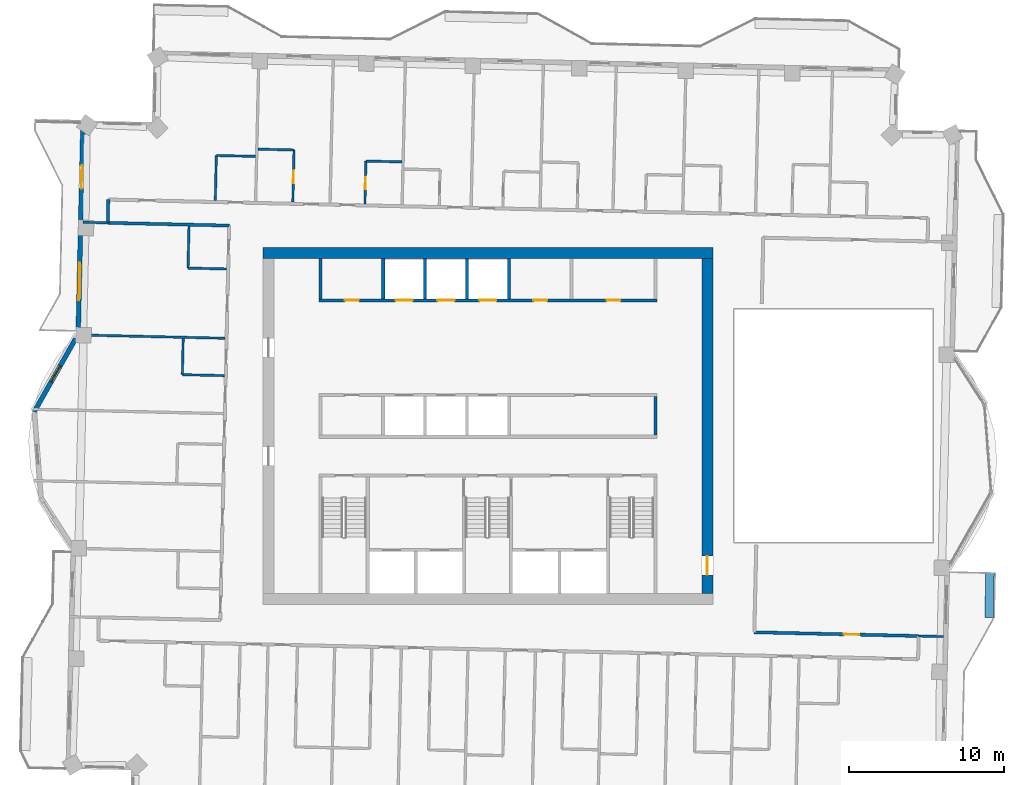
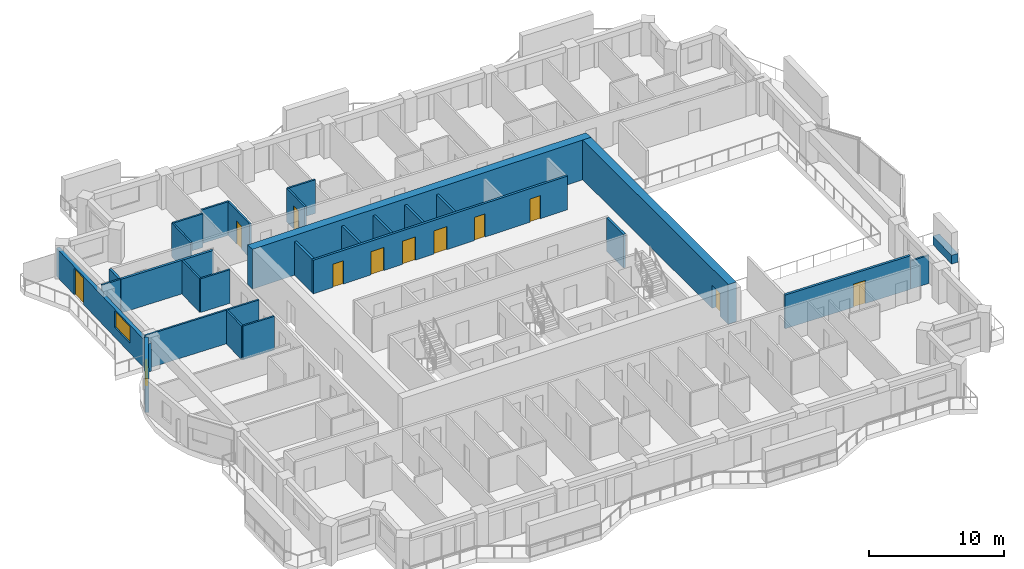
# One storey, part 10 of 17: 28 walls, 11 doors, 2 windows, 13 openings.
"""IFC4 building model written with IfcOpenShell, lengths in metres."""

from ifc_helpers import new_model, si_unit, direction, frame, frame_2d, origin, place, context, subcontext, project, spatial, rectangle, extrude, material, layer, layer_set, type_object, element, fill, save


model = new_model("IFC4")

# Units and contexts
model_context = context("Model", 3, precision=1e-05, world=origin(), true_north=direction((0.0, 1.0)))
body_context = subcontext(model_context, "Body", "Model", "MODEL_VIEW")
ifc_project = project(units=[si_unit("LENGTHUNIT", "METRE"), si_unit("AREAUNIT", "SQUARE_METRE"), si_unit("VOLUMEUNIT", "CUBIC_METRE"), si_unit("PLANEANGLEUNIT", "RADIAN"), si_unit("MASSUNIT", "GRAM", prefix="KILO")], contexts=[model_context])

# Site, building, storey
site_placement = place(None, origin())
site = spatial("IfcSite", under=ifc_project, at=site_placement, CompositionType="ELEMENT")
building_placement = place(site_placement, origin())
building = spatial("IfcBuilding", under=site, at=building_placement, Name="Mangrove Gate Tower", CompositionType="ELEMENT")
storey_placement = place(building_placement, frame((0.0, 0.0, 260.89990234375)))
storey = spatial("IfcBuildingStorey", under=building, at=storey_placement, Name="L66", CompositionType="ELEMENT", Elevation=260.89990234375)

# Walls
ifc_material_1 = material(Name="Concrete C32/40", Category="concrete")
ifc_layer_1 = layer(ifc_material_1, 0.199951171875)
ifc_layer_set_1 = layer_set([ifc_layer_1], Name="Core room wall 200 C32/40")
wall_type_1 = type_object("IfcWallType", Name="Core room wall 200 C32/40", PredefinedType="STANDARD", material=ifc_layer_set_1)
wall_1_placement = place(storey_placement, frame((10.800048828125, -0.60009765625, 0.0), z_axis=(0.0, 0.0, 1.0), x_axis=(0.0, 1.0, 0.0)))
element("IfcWall", 1, at=wall_1_placement, inside=storey, type_object=wall_type_1, Name="WALL-L66-CORE-24", PredefinedType="STANDARD", context=body_context, shape_type="SweptSolid", body=[
    extrude(rectangle(XDim=2.5, YDim=0.199951171875, at=frame_2d((1.25, 0.0))), origin(), (0.0, 0.0, 1.0), 3.050048828125),
])
wall_2_placement = place(storey_placement, frame((-10.800048828125, 8.199951171875, 0.0), z_axis=(0.0, 0.0, 1.0), x_axis=(0.0, 1.0, 0.0)))
element("IfcWall", 2, at=wall_2_placement, inside=storey, type_object=wall_type_1, Name="WALL-L66-CORE-25", PredefinedType="STANDARD", context=body_context, shape_type="SweptSolid", body=[
    extrude(rectangle(XDim=2.60009765625, YDim=0.199951171875, at=frame_2d((1.300048828125, 0.0))), origin(), (0.0, 0.0, 1.0), 3.050048828125),
])

# Wall, openings, doors
ifc_material_2 = material(Name="Concrete C60/75", Category="concrete")
ifc_layer_2 = layer(ifc_material_2, 0.199951171875)
ifc_layer_set_2 = layer_set([ifc_layer_2], Name="Core shaft wall 200 C60/75")
wall_type_2 = type_object("IfcWallType", Name="Core shaft wall 200 C60/75", PredefinedType="SHEAR", material=ifc_layer_set_2)
wall_3_placement = place(storey_placement, frame((-10.89990234375, 8.10009765625, 0.0), z_axis=(0.0, 0.0, 1.0), x_axis=(1.0, 0.0, 0.0)))
wall_3 = element("IfcWall", 3, at=wall_3_placement, inside=storey, type_object=wall_type_2, Name="WALL-L66-CORE-8", PredefinedType="SHEAR", context=body_context, shape_type="SweptSolid", body=[
    extrude(rectangle(XDim=21.7998046875, YDim=0.199951171875, at=frame_2d((10.89990234375, 0.0))), origin(), (0.0, 0.0, 1.0), 3.050048828125),
])
opening_1_placement = place(wall_3_placement, frame((4.949951171875, 0.0, 0.0)))
opening_1 = element("IfcOpeningElement", 4, at=opening_1_placement, cuts=wall_3, Name="Opening LD", PredefinedType="OPENING", context=body_context, shape_type="SweptSolid", body=[
    extrude(rectangle(XDim=1.10009765625, YDim=2.10009765625, at=frame_2d((0.550048828125, 1.050048828125))), frame((0.0, 0.10986328125, 0.0), z_axis=(0.0, -1.0, 0.0), x_axis=(1.0, 0.0, 0.0)), (0.0, 0.0, 1.0), 0.219970703125),
])
opening_2_placement = place(wall_3_placement, frame((7.64990234375, 0.0, 0.0)))
opening_2 = element("IfcOpeningElement", 5, at=opening_2_placement, cuts=wall_3, Name="Opening LD", PredefinedType="OPENING", context=body_context, shape_type="SweptSolid", body=[
    extrude(rectangle(XDim=1.10009765625, YDim=2.10009765625, at=frame_2d((0.550048828125, 1.050048828125))), frame((0.0, 0.10986328125, 0.0), z_axis=(0.0, -1.0, 0.0), x_axis=(1.0, 0.0, 0.0)), (0.0, 0.0, 1.0), 0.219970703125),
])
opening_3_placement = place(wall_3_placement, frame((10.35009765625, 0.0, 0.0)))
opening_3 = element("IfcOpeningElement", 6, at=opening_3_placement, cuts=wall_3, Name="Opening LD", PredefinedType="OPENING", context=body_context, shape_type="SweptSolid", body=[
    extrude(rectangle(XDim=1.10009765625, YDim=2.10009765625, at=frame_2d((0.550048828125, 1.050048828125))), frame((0.0, 0.10986328125, 0.0), z_axis=(0.0, -1.0, 0.0), x_axis=(1.0, 0.0, 0.0)), (0.0, 0.0, 1.0), 0.219970703125),
])
opening_4_placement = place(wall_3_placement, frame((1.675048828125, 0.0, 0.0)))
opening_4 = element("IfcOpeningElement", 7, at=opening_4_placement, cuts=wall_3, Name="Opening KD", PredefinedType="OPENING", context=body_context, shape_type="SweptSolid", body=[
    extrude(rectangle(XDim=0.89990234375, YDim=2.10009765625, at=frame_2d((0.449951171875, 1.050048828125))), frame((0.0, 0.10986328125, 0.0), z_axis=(0.0, -1.0, 0.0), x_axis=(1.0, 0.0, 0.0)), (0.0, 0.0, 1.0), 0.219970703125),
])
opening_5_placement = place(wall_3_placement, frame((13.824951171875, 0.0, 0.0)))
opening_5 = element("IfcOpeningElement", 8, at=opening_5_placement, cuts=wall_3, Name="Opening KD", PredefinedType="OPENING", context=body_context, shape_type="SweptSolid", body=[
    extrude(rectangle(XDim=0.89990234375, YDim=2.10009765625, at=frame_2d((0.449951171875, 1.050048828125))), frame((0.0, 0.10986328125, 0.0), z_axis=(0.0, -1.0, 0.0), x_axis=(1.0, 0.0, 0.0)), (0.0, 0.0, 1.0), 0.219970703125),
])
opening_6_placement = place(wall_3_placement, frame((18.550048828125, 0.0, 0.0)))
opening_6 = element("IfcOpeningElement", 9, at=opening_6_placement, cuts=wall_3, Name="Opening RD", PredefinedType="OPENING", context=body_context, shape_type="SweptSolid", body=[
    extrude(rectangle(XDim=0.89990234375, YDim=2.10009765625, at=frame_2d((0.449951171875, 1.050048828125))), frame((0.0, 0.10986328125, 0.0), z_axis=(0.0, -1.0, 0.0), x_axis=(1.0, 0.0, 0.0)), (0.0, 0.0, 1.0), 0.219970703125),
])
ifc_material_3 = material(Name="Fire-rated steel door set", Category="steel")
door_type_1 = type_object("IfcDoorType", Name="Core room door FD30S 900x2100", OperationType="SINGLE_SWING_RIGHT", PredefinedType="DOOR", material=ifc_material_3)
door_1_placement = place(opening_4_placement, origin())
door_1 = element("IfcDoor", 10, at=door_1_placement, inside=storey, type_object=door_type_1, Name="Core room door Cleaner's store", OperationType="SINGLE_SWING_RIGHT", OverallHeight=2.10009765625, OverallWidth=0.89990234375, PredefinedType="DOOR", context=body_context, shape_type="SweptSolid", body=[
    extrude(rectangle(XDim=0.89990234375, YDim=2.10009765625, at=frame_2d((0.449951171875, 1.050048828125))), frame((0.0, 0.02490234375, 0.0), z_axis=(0.0, -1.0, 0.0), x_axis=(1.0, 0.0, 0.0)), (0.0, 0.0, 1.0), 0.050048828125),
])
fill(opening_4, door_1)
door_2_placement = place(opening_5_placement, origin())
door_2 = element("IfcDoor", 11, at=door_2_placement, inside=storey, type_object=door_type_1, Name="Core room door Refuse store", OperationType="SINGLE_SWING_RIGHT", OverallHeight=2.10009765625, OverallWidth=0.89990234375, PredefinedType="DOOR", context=body_context, shape_type="SweptSolid", body=[
    extrude(rectangle(XDim=0.89990234375, YDim=2.10009765625, at=frame_2d((0.449951171875, 1.050048828125))), frame((0.0, 0.02490234375, 0.0), z_axis=(0.0, -1.0, 0.0), x_axis=(1.0, 0.0, 0.0)), (0.0, 0.0, 1.0), 0.050048828125),
])
fill(opening_5, door_2)
ifc_material_4 = material(Name="Stainless steel 316", Category="steel")
door_type_2 = type_object("IfcDoorType", Name="Lift landing door 1100x2100", OperationType="SLIDING_TO_LEFT", PredefinedType="DOOR", material=ifc_material_4)
door_3_placement = place(opening_1_placement, origin())
door_3 = element("IfcDoor", 12, at=door_3_placement, inside=storey, type_object=door_type_2, Name="Landing door LD H04", OperationType="SLIDING_TO_LEFT", OverallHeight=2.10009765625, OverallWidth=1.10009765625, PredefinedType="DOOR", context=body_context, shape_type="SweptSolid", body=[
    extrude(rectangle(XDim=1.10009765625, YDim=2.10009765625, at=frame_2d((0.550048828125, 1.050048828125))), frame((0.0, 0.02490234375, 0.0), z_axis=(0.0, -1.0, 0.0), x_axis=(1.0, 0.0, 0.0)), (0.0, 0.0, 1.0), 0.050048828125),
])
fill(opening_1, door_3)
door_4_placement = place(opening_2_placement, origin())
door_4 = element("IfcDoor", 13, at=door_4_placement, inside=storey, type_object=door_type_2, Name="Landing door LD H05", OperationType="SLIDING_TO_LEFT", OverallHeight=2.10009765625, OverallWidth=1.10009765625, PredefinedType="DOOR", context=body_context, shape_type="SweptSolid", body=[
    extrude(rectangle(XDim=1.10009765625, YDim=2.10009765625, at=frame_2d((0.550048828125, 1.050048828125))), frame((0.0, 0.02490234375, 0.0), z_axis=(0.0, -1.0, 0.0), x_axis=(1.0, 0.0, 0.0)), (0.0, 0.0, 1.0), 0.050048828125),
])
fill(opening_2, door_4)
door_5_placement = place(opening_3_placement, origin())
door_5 = element("IfcDoor", 14, at=door_5_placement, inside=storey, type_object=door_type_2, Name="Landing door LD H06", OperationType="SLIDING_TO_LEFT", OverallHeight=2.10009765625, OverallWidth=1.10009765625, PredefinedType="DOOR", context=body_context, shape_type="SweptSolid", body=[
    extrude(rectangle(XDim=1.10009765625, YDim=2.10009765625, at=frame_2d((0.550048828125, 1.050048828125))), frame((0.0, 0.02490234375, 0.0), z_axis=(0.0, -1.0, 0.0), x_axis=(1.0, 0.0, 0.0)), (0.0, 0.0, 1.0), 0.050048828125),
])
fill(opening_3, door_5)
ifc_material_5 = material(Name="Fire-rated steel door set", Category="steel")
door_type_3 = type_object("IfcDoorType", Name="Riser door FD30S 900x2100", OperationType="SINGLE_SWING_LEFT", PredefinedType="DOOR", material=ifc_material_5)
door_6_placement = place(opening_6_placement, origin())
door_6 = element("IfcDoor", 15, at=door_6_placement, inside=storey, type_object=door_type_3, Name="Riser door Electrical room", OperationType="SINGLE_SWING_LEFT", OverallHeight=2.10009765625, OverallWidth=0.89990234375, PredefinedType="DOOR", context=body_context, shape_type="SweptSolid", body=[
    extrude(rectangle(XDim=0.89990234375, YDim=2.10009765625, at=frame_2d((0.449951171875, 1.050048828125))), frame((0.0, 0.02490234375, 0.0), z_axis=(0.0, -1.0, 0.0), x_axis=(1.0, 0.0, 0.0)), (0.0, 0.0, 1.0), 0.050048828125),
])
fill(opening_6, door_6)

# Walls
for number, where, z_axis, x_axis, name in (
    (16, (-6.75, 8.199951171875, 0.0), (0.0, 0.0, 1.0), (0.0, 1.0, 0.0), "WALL-L66-CORE-26"),
    (17, (-4.050048828125, 8.199951171875, 0.0), (0.0, 0.0, 1.0), (0.0, 1.0, 0.0), "WALL-L66-CORE-27"),
    (18, (-1.35009765625, 8.199951171875, 0.0), (0.0, 0.0, 1.0), (0.0, 1.0, 0.0), "WALL-L66-CORE-28"),
    (19, (1.35009765625, 8.199951171875, 0.0), (0.0, 0.0, 1.0), (0.0, 1.0, 0.0), "WALL-L66-CORE-29"),
):
    element("IfcWall", number, at=place(storey_placement, frame(where, z_axis=z_axis, x_axis=x_axis)), inside=storey, type_object=wall_type_2, Name=name, PredefinedType="SHEAR", context=body_context, shape_type="SweptSolid", body=[
        extrude(rectangle(XDim=2.60009765625, YDim=0.199951171875, at=frame_2d((1.300048828125, 0.0))), origin(), (0.0, 0.0, 1.0), 3.050048828125),
    ])
ifc_material_6 = material(Name="Concrete C60/75", Category="concrete")
ifc_layer_3 = layer(ifc_material_6, 0.699951171875)
ifc_layer_set_3 = layer_set([ifc_layer_3], Name="Core wall 700 C60/75")
wall_type_3 = type_object("IfcWallType", Name="Core wall 700 C60/75", PredefinedType="SHEAR", material=ifc_layer_set_3)
wall_4_placement = place(storey_placement, frame((-14.5, 11.14990234375, 0.0), z_axis=(0.0, 0.0, 1.0), x_axis=(1.0, 0.0, 0.0)))
element("IfcWall", 20, at=wall_4_placement, inside=storey, type_object=wall_type_3, Name="WALL-L66-CORE-2", PredefinedType="SHEAR", context=body_context, shape_type="SweptSolid", body=[
    extrude(rectangle(XDim=29.0, YDim=0.699951171875, at=frame_2d((14.5, 0.0))), origin(), (0.0, 0.0, 1.0), 3.60009765625),
])

# Wall, opening, door
wall_5_placement = place(storey_placement, frame((14.14990234375, -10.800048828125, 0.0), z_axis=(0.0, 0.0, 1.0), x_axis=(0.0, 1.0, 0.0)))
wall_5 = element("IfcWall", 21, at=wall_5_placement, inside=storey, type_object=wall_type_3, Name="WALL-L66-CORE-4", PredefinedType="SHEAR", context=body_context, shape_type="SweptSolid", body=[
    extrude(rectangle(XDim=21.60009765625, YDim=0.699951171875, at=frame_2d((10.800048828125, 0.0))), origin(), (0.0, 0.0, 1.0), 3.60009765625),
])
opening_7_placement = place(wall_5_placement, frame((1.199951171875, 0.0, 0.0)))
opening_7 = element("IfcOpeningElement", 22, at=opening_7_placement, cuts=wall_5, Name="Opening CD", PredefinedType="OPENING", context=body_context, shape_type="SweptSolid", body=[
    extrude(rectangle(XDim=1.199951171875, YDim=2.10009765625, at=frame_2d((0.60009765625, 1.050048828125))), frame((0.0, 0.35986328125, 0.0), z_axis=(0.0, -1.0, 0.0), x_axis=(1.0, 0.0, 0.0)), (0.0, 0.0, 1.0), 0.719970703125),
])
ifc_material_7 = material(Name="Fire-rated steel door set", Category="steel")
door_type_4 = type_object("IfcDoorType", Name="Core ring door FD60 1200x2100", OperationType="DOUBLE_DOOR_SINGLE_SWING", PredefinedType="DOOR", material=ifc_material_7)
door_7_placement = place(opening_7_placement, origin())
door_7 = element("IfcDoor", 23, at=door_7_placement, inside=storey, type_object=door_type_4, Name="Core ring door E1", OperationType="DOUBLE_DOOR_SINGLE_SWING", OverallHeight=2.10009765625, OverallWidth=1.199951171875, PredefinedType="DOOR", context=body_context, shape_type="SweptSolid", body=[
    extrude(rectangle(XDim=1.199951171875, YDim=2.10009765625, at=frame_2d((0.60009765625, 1.050048828125))), frame((0.0, 0.02490234375, 0.0), z_axis=(0.0, -1.0, 0.0), x_axis=(1.0, 0.0, 0.0)), (0.0, 0.0, 1.0), 0.050048828125),
])
fill(opening_7, door_7)

ifc_material_8 = material(Name="Gypsum board on steel stud, EI 60", Category="steel")
ifc_layer_4 = layer(ifc_material_8, 0.199951171875)
ifc_layer_set_4 = layer_set([ifc_layer_4], Name="Corridor wall EI 60")
wall_type_4 = type_object("IfcWallType", Name="Corridor wall EI 60", PredefinedType="PARTITIONING", material=ifc_layer_set_4)
wall_6_placement = place(storey_placement, frame((17.176025390625, -13.305908203125, 0.0), z_axis=(0.0, 0.0, 1.0), x_axis=(0.999741038234, -0.022756459988, 0.0)))
wall_6 = element("IfcWall", 24, at=wall_6_placement, inside=storey, type_object=wall_type_4, Name="WALL-L66-038", PredefinedType="PARTITIONING", context=body_context, shape_type="SweptSolid", body=[
    extrude(rectangle(XDim=10.599609375, YDim=0.199951171875, at=frame_2d((5.2998046875, 0.0))), origin(), (0.0, 0.0, 1.0), 3.050048828125),
])
opening_8_placement = place(wall_6_placement, frame((5.782958984375, 0.0, 0.0)))
opening_8 = element("IfcOpeningElement", 25, at=opening_8_placement, cuts=wall_6, Name="Opening AD", PredefinedType="OPENING", context=body_context, shape_type="SweptSolid", body=[
    extrude(rectangle(XDim=1.0, YDim=2.10009765625, at=frame_2d((0.5, 1.050048828125))), frame((0.0, 0.10986328125, 0.0), z_axis=(0.0, -1.0, 0.0), x_axis=(1.0, 0.0, 0.0)), (0.0, 0.0, 1.0), 0.219970703125),
])
ifc_material_9 = material(Name="Timber door leaf", Category="wood")
door_type_5 = type_object("IfcDoorType", Name="Amenity door 1000", OperationType="SINGLE_SWING_LEFT", PredefinedType="DOOR", material=ifc_material_9)
door_8_placement = place(opening_8_placement, origin())
door_8 = element("IfcDoor", 26, at=door_8_placement, inside=storey, type_object=door_type_5, Name="DOOR-L66-LNG-c3a", OperationType="SINGLE_SWING_LEFT", OverallHeight=2.10009765625, OverallWidth=1.0, PredefinedType="DOOR", context=body_context, shape_type="SweptSolid", body=[
    extrude(rectangle(XDim=1.0, YDim=2.10009765625, at=frame_2d((0.5, 1.050048828125))), frame((0.0, 0.02490234375, 0.0), z_axis=(0.0, -1.0, 0.0), x_axis=(1.0, 0.0, 0.0)), (0.0, 0.0, 1.0), 0.050048828125),
])
fill(opening_8, door_8)

# Walls
wall_7_placement = place(storey_placement, frame((-24.511962890625, 13.095947265625, 0.0), z_axis=(0.0, 0.0, 1.0), x_axis=(0.022617910375, 0.999744182344, 0.0)))
element("IfcWall", 27, at=wall_7_placement, inside=storey, type_object=wall_type_4, Name="WALL-L66-055", PredefinedType="PARTITIONING", context=body_context, shape_type="SweptSolid", body=[
    extrude(rectangle(XDim=1.50048828125, YDim=0.199951171875, at=frame_2d((0.750244140625, 0.0))), origin(), (0.0, 0.0, 1.0), 3.050048828125),
])
wall_8_placement = place(storey_placement, frame((-24.508056640625, 13.095947265625, 0.0), z_axis=(0.0, 0.0, 1.0), x_axis=(0.99974170677, -0.022727070732, 0.0)))
element("IfcWall", 28, at=wall_8_placement, inside=storey, type_object=wall_type_4, Name="WALL-L66-056", PredefinedType="PARTITIONING", context=body_context, shape_type="SweptSolid", body=[
    extrude(rectangle(XDim=7.8310546875, YDim=0.199951171875, at=frame_2d((3.91552734375, 0.0))), origin(), (0.0, 0.0, 1.0), 3.050048828125),
])

# Wall, openings, door, window
ifc_material_10 = material(Name="Limestone", Category="masonry")
ifc_layer_5 = layer(ifc_material_10, 0.0400390625, Name="Limestone cladding")
ifc_material_11 = material(Name="Ventilated air gap")
ifc_layer_6 = layer(ifc_material_11, 0.0400390625, Name="Ventilated cavity")
ifc_material_12 = material(Name="Mineral wool insulation")
ifc_layer_7 = layer(ifc_material_12, 0.06005859375, Name="Insulation")
ifc_material_13 = material(Name="Breather membrane")
ifc_layer_8 = layer(ifc_material_13, 0.001953125, Name="Breather membrane")
ifc_material_14 = material(Name="Concrete C20/25 blockwork", Category="masonry")
ifc_layer_9 = layer(ifc_material_14, 0.14990234375, Name="Blockwork backing wall")
ifc_material_15 = material(Name="Gypsum plaster")
ifc_layer_10 = layer(ifc_material_15, 0.008056640625, Name="Internal plaster")
ifc_layer_set_5 = layer_set([ifc_layer_5, ifc_layer_6, ifc_layer_7, ifc_layer_8, ifc_layer_9, ifc_layer_10], Name="External wall 300 limestone cladding")
wall_type_5 = type_object("IfcWallType", Name="External wall 300 limestone cladding", PredefinedType="SOLIDWALL", material=ifc_layer_set_5)
wall_9_placement = place(storey_placement, frame((-26.113037109375, 19.533935546875, 0.0), z_axis=(0.0, 0.0, 1.0), x_axis=(-0.022649415303, -0.999743469089, 0.0)))
wall_9 = element("IfcWall", 29, at=wall_9_placement, inside=storey, type_object=wall_type_5, Name="WALL-L66-W8s1", PredefinedType="SOLIDWALL", context=body_context, shape_type="SweptSolid", body=[
    extrude(rectangle(XDim=14.174560546875, YDim=0.300048828125, at=frame_2d((7.08740234375, 0.0))), origin(), (0.0, 0.0, 1.0), 2.550048828125),
])
opening_9_placement = place(wall_9_placement, frame((2.735107421875, 0.0, 0.0)))
opening_9 = element("IfcOpeningElement", 30, at=opening_9_placement, cuts=wall_9, Name="Opening BD1", PredefinedType="OPENING", context=body_context, shape_type="SweptSolid", body=[
    extrude(rectangle(XDim=1.5, YDim=2.39990234375, at=frame_2d((0.75, 1.199951171875))), frame((0.0, 0.159912109375, 0.0), z_axis=(0.0, -1.0, 0.0), x_axis=(1.0, 0.0, 0.0)), (0.0, 0.0, 1.0), 0.320068359375),
])
opening_10_placement = place(wall_9_placement, frame((9.01904296875, 0.0, 0.89990234375)))
opening_10 = element("IfcOpeningElement", 31, at=opening_10_placement, cuts=wall_9, Name="Opening W2", PredefinedType="OPENING", context=body_context, shape_type="SweptSolid", body=[
    extrude(rectangle(XDim=2.39990234375, YDim=1.5, at=frame_2d((1.199951171875, 0.75))), frame((0.0, 0.159912109375, 0.0), z_axis=(0.0, -1.0, 0.0), x_axis=(1.0, 0.0, 0.0)), (0.0, 0.0, 1.0), 0.320068359375),
])
ifc_material_16 = material(Name="Aluminium frame with laminated clear glass", Category="aluminium")
door_type_6 = type_object("IfcDoorType", Name="Balcony sliding door 1500x2400", OperationType="SLIDING_TO_LEFT", PredefinedType="DOOR", material=ifc_material_16)
door_9_placement = place(opening_9_placement, origin())
door_9 = element("IfcDoor", 32, at=door_9_placement, inside=storey, type_object=door_type_6, Name="DOOR-L66-W8-1", OperationType="SLIDING_TO_LEFT", OverallHeight=2.39990234375, OverallWidth=1.5, PredefinedType="DOOR", context=body_context, shape_type="SweptSolid", body=[
    extrude(rectangle(XDim=1.5, YDim=2.39990234375, at=frame_2d((0.75, 1.199951171875))), frame((0.0, 0.02490234375, 0.0), z_axis=(0.0, -1.0, 0.0), x_axis=(1.0, 0.0, 0.0)), (0.0, 0.0, 1.0), 0.050048828125),
])
fill(opening_9, door_9)
ifc_material_17 = material(Name="Aluminium frame with double-glazed low-e glass", Category="aluminium")
window_type_1 = type_object("IfcWindowType", Name="Corner room window 2400x1500", PartitioningType="DOUBLE_PANEL_VERTICAL", PredefinedType="WINDOW", material=ifc_material_17)
window_1_placement = place(opening_10_placement, origin())
window_1 = element("IfcWindow", 33, at=window_1_placement, inside=storey, type_object=window_type_1, Name="WIN-L66-W8-2", OverallHeight=1.5, OverallWidth=2.39990234375, PartitioningType="DOUBLE_PANEL_VERTICAL", PredefinedType="WINDOW", context=body_context, shape_type="SweptSolid", body=[
    extrude(rectangle(XDim=2.39990234375, YDim=1.5, at=frame_2d((1.199951171875, 0.75))), frame((0.0, 0.030029296875, 0.0), z_axis=(0.0, -1.0, 0.0), x_axis=(1.0, 0.0, 0.0)), (0.0, 0.0, 1.0), 0.06005859375),
])
fill(opening_10, window_1)

# Wall, opening, window
wall_10_placement = place(storey_placement, frame((-26.589111328125, 5.62109375, 0.0), z_axis=(0.0, 0.0, 1.0), x_axis=(-0.492495436053, -0.870315026566, 0.0)))
wall_10 = element("IfcWall", 34, at=wall_10_placement, inside=storey, type_object=wall_type_5, Name="WALL-L66-W9f1", PredefinedType="SOLIDWALL", context=body_context, shape_type="SweptSolid", body=[
    extrude(rectangle(XDim=5.39697265625, YDim=0.300048828125, at=frame_2d((2.698486328125, 0.0))), origin(), (0.0, 0.0, 1.0), 3.050048828125),
])
opening_11_placement = place(wall_10_placement, frame((2.007080078125, 0.0, 0.89990234375)))
opening_11 = element("IfcOpeningElement", 35, at=opening_11_placement, cuts=wall_10, Name="Opening W1", PredefinedType="OPENING", context=body_context, shape_type="SweptSolid", body=[
    extrude(rectangle(XDim=1.199951171875, YDim=1.5, at=frame_2d((0.60009765625, 0.75))), frame((0.0, 0.159912109375, 0.0), z_axis=(0.0, -1.0, 0.0), x_axis=(1.0, 0.0, 0.0)), (0.0, 0.0, 1.0), 0.320068359375),
])
ifc_material_18 = material(Name="Aluminium frame with double-glazed low-e glass", Category="aluminium")
window_type_2 = type_object("IfcWindowType", Name="Side lite 1200x1500", PartitioningType="SINGLE_PANEL", PredefinedType="WINDOW", material=ifc_material_18)
window_2_placement = place(opening_11_placement, origin())
window_2 = element("IfcWindow", 36, at=window_2_placement, inside=storey, type_object=window_type_2, Name="WIN-L66-W9f1", OverallHeight=1.5, OverallWidth=1.199951171875, PartitioningType="SINGLE_PANEL", PredefinedType="WINDOW", context=body_context, shape_type="SweptSolid", body=[
    extrude(rectangle(XDim=1.199951171875, YDim=1.5, at=frame_2d((0.60009765625, 0.75))), frame((0.0, 0.030029296875, 0.0), z_axis=(0.0, -1.0, 0.0), x_axis=(1.0, 0.0, 0.0)), (0.0, 0.0, 1.0), 0.06005859375),
])
fill(opening_11, window_2)

# Walls
ifc_material_19 = material(Name="Gypsum board on steel stud, EI 60", Category="steel")
ifc_layer_11 = layer(ifc_material_19, 0.14990234375)
ifc_layer_set_6 = layer_set([ifc_layer_11], Name="Party wall 150 EI 60")
wall_type_6 = type_object("IfcWallType", Name="Party wall 150 EI 60", PredefinedType="PARTITIONING", material=ifc_layer_set_6)
wall_11_placement = place(storey_placement, frame((27.77294921875, -13.547119140625, 0.0), z_axis=(0.0, 0.0, 1.0), x_axis=(0.999748563699, -0.022423411484, 0.0)))
element("IfcWall", 37, at=wall_11_placement, inside=storey, type_object=wall_type_6, Name="WALL-L66-040", PredefinedType="PARTITIONING", context=body_context, shape_type="SweptSolid", body=[
    extrude(rectangle(XDim=1.6005859375, YDim=0.14990234375, at=frame_2d((0.80029296875, 0.0))), origin(), (0.0, 0.0, 1.0), 2.550048828125),
])
wall_12_placement = place(storey_placement, frame((-19.697998046875, 3.303955078125, 0.0), z_axis=(0.0, 0.0, 1.0), x_axis=(0.999744396973, -0.02260842146, 0.0)))
element("IfcWall", 38, at=wall_12_placement, inside=storey, type_object=wall_type_6, Name="WALL-L66-048", PredefinedType="PARTITIONING", context=body_context, shape_type="SweptSolid", body=[
    extrude(rectangle(XDim=2.69970703125, YDim=0.14990234375, at=frame_2d((1.349853515625, 0.0))), origin(), (0.0, 0.0, 1.0), 3.050048828125),
])
wall_13_placement = place(storey_placement, frame((-19.702880859375, 3.31005859375, 0.0), z_axis=(0.0, 0.0, 1.0), x_axis=(0.02279059109, 0.999740260747, 0.0)))
element("IfcWall", 39, at=wall_13_placement, inside=storey, type_object=wall_type_6, Name="WALL-L66-049", PredefinedType="PARTITIONING", context=body_context, shape_type="SweptSolid", body=[
    extrude(rectangle(XDim=2.324462890625, YDim=0.14990234375, at=frame_2d((1.162109375, 0.0))), origin(), (0.0, 0.0, 1.0), 3.050048828125),
])
wall_14_placement = place(storey_placement, frame((-26.572998046875, 5.87109375, 0.0), z_axis=(0.0, 0.0, 1.0), x_axis=(0.999743768709, -0.022636186244, 0.0)))
element("IfcWall", 40, at=wall_14_placement, inside=storey, type_object=wall_type_6, Name="WALL-L66-050", PredefinedType="PARTITIONING", context=body_context, shape_type="SweptSolid", body=[
    extrude(rectangle(XDim=9.63134765625, YDim=0.14990234375, at=frame_2d((4.815673828125, 0.0))), origin(), (0.0, 0.0, 1.0), 3.050048828125),
])
wall_15_placement = place(storey_placement, frame((-19.342041015625, 10.177978515625, 0.0), z_axis=(0.0, 0.0, 1.0), x_axis=(0.999741028149, -0.022756903044, 0.0)))
element("IfcWall", 41, at=wall_15_placement, inside=storey, type_object=wall_type_6, Name="WALL-L66-052", PredefinedType="PARTITIONING", context=body_context, shape_type="SweptSolid", body=[
    extrude(rectangle(XDim=2.499755859375, YDim=0.14990234375, at=frame_2d((1.25, 0.0))), origin(), (0.0, 0.0, 1.0), 3.050048828125),
])
wall_16_placement = place(storey_placement, frame((-19.3369140625, 10.177978515625, 0.0), z_axis=(0.0, 0.0, 1.0), x_axis=(0.02260842146, 0.999744396973, 0.0)))
element("IfcWall", 42, at=wall_16_placement, inside=storey, type_object=wall_type_6, Name="WALL-L66-053", PredefinedType="PARTITIONING", context=body_context, shape_type="SweptSolid", body=[
    extrude(rectangle(XDim=2.69970703125, YDim=0.14990234375, at=frame_2d((1.349853515625, 0.0))), origin(), (0.0, 0.0, 1.0), 3.050048828125),
])
wall_17_placement = place(storey_placement, frame((-26.10791015625, 13.132080078125, 0.0), z_axis=(0.0, 0.0, 1.0), x_axis=(0.999746371854, -0.022520922836, 0.0)))
element("IfcWall", 43, at=wall_17_placement, inside=storey, type_object=wall_type_6, Name="WALL-L66-054", PredefinedType="PARTITIONING", context=body_context, shape_type="SweptSolid", body=[
    extrude(rectangle(XDim=1.6044921875, YDim=0.14990234375, at=frame_2d((0.80224609375, 0.0))), origin(), (0.0, 0.0, 1.0), 3.050048828125),
])
wall_18_placement = place(storey_placement, frame((-17.577880859375, 14.5390625, 0.0), z_axis=(0.0, 0.0, 1.0), x_axis=(0.022725229174, 0.999741748633, 0.0)))
element("IfcWall", 44, at=wall_18_placement, inside=storey, type_object=wall_type_6, Name="WALL-L66-061", PredefinedType="PARTITIONING", context=body_context, shape_type="SweptSolid", body=[
    extrude(rectangle(XDim=2.900634765625, YDim=0.14990234375, at=frame_2d((1.4501953125, 0.0))), origin(), (0.0, 0.0, 1.0), 3.050048828125),
])

# Wall, opening, door
wall_19_placement = place(storey_placement, frame((-12.5791015625, 14.426025390625, 0.0), z_axis=(0.0, 0.0, 1.0), x_axis=(0.022894207861, 0.999737893273, 0.0)))
wall_19 = element("IfcWall", 45, at=wall_19_placement, inside=storey, type_object=wall_type_6, Name="WALL-L66-063", PredefinedType="PARTITIONING", context=body_context, shape_type="SweptSolid", body=[
    extrude(rectangle(XDim=3.369873046875, YDim=0.14990234375, at=frame_2d((1.68505859375, 0.0))), origin(), (0.0, 0.0, 1.0), 3.050048828125),
])
opening_12_placement = place(wall_19_placement, frame((1.235107421875, 0.0, 0.0)))
opening_12 = element("IfcOpeningElement", 46, at=opening_12_placement, cuts=wall_19, Name="Opening ED", PredefinedType="OPENING", context=body_context, shape_type="SweptSolid", body=[
    extrude(rectangle(XDim=0.800048828125, YDim=2.10009765625, at=frame_2d((0.39990234375, 1.050048828125))), frame((0.0, 0.0849609375, 0.0), z_axis=(0.0, -1.0, 0.0), x_axis=(1.0, 0.0, 0.0)), (0.0, 0.0, 1.0), 0.169921875),
])
ifc_material_20 = material(Name="Timber door leaf", Category="wood")
door_type_7 = type_object("IfcDoorType", Name="En-suite door 800", OperationType="SINGLE_SWING_LEFT", PredefinedType="DOOR", material=ifc_material_20)
door_10_placement = place(opening_12_placement, origin())
door_10 = element("IfcDoor", 47, at=door_10_placement, inside=storey, type_object=door_type_7, Name="DOOR-L66-ENS-c517", OperationType="SINGLE_SWING_LEFT", OverallHeight=2.10009765625, OverallWidth=0.800048828125, PredefinedType="DOOR", context=body_context, shape_type="SweptSolid", body=[
    extrude(rectangle(XDim=0.800048828125, YDim=2.10009765625, at=frame_2d((0.39990234375, 1.050048828125))), frame((0.0, 0.02490234375, 0.0), z_axis=(0.0, -1.0, 0.0), x_axis=(1.0, 0.0, 0.0)), (0.0, 0.0, 1.0), 0.050048828125),
])
fill(opening_12, door_10)

wall_20_placement = place(storey_placement, frame((-7.929931640625, 14.320068359375, 0.0), z_axis=(0.0, 0.0, 1.0), x_axis=(0.022462265691, 0.99974769148, 0.0)))
wall_20 = element("IfcWall", 48, at=wall_20_placement, inside=storey, type_object=wall_type_6, Name="WALL-L66-065", PredefinedType="PARTITIONING", context=body_context, shape_type="SweptSolid", body=[
    extrude(rectangle(XDim=2.7607421875, YDim=0.14990234375, at=frame_2d((1.38037109375, 0.0))), origin(), (0.0, 0.0, 1.0), 3.050048828125),
])
opening_13_placement = place(wall_20_placement, frame((0.929931640625, 0.0, 0.0)))
opening_13 = element("IfcOpeningElement", 49, at=opening_13_placement, cuts=wall_20, Name="Opening ED", PredefinedType="OPENING", context=body_context, shape_type="SweptSolid", body=[
    extrude(rectangle(XDim=0.800048828125, YDim=2.10009765625, at=frame_2d((0.39990234375, 1.050048828125))), frame((0.0, 0.0849609375, 0.0), z_axis=(0.0, -1.0, 0.0), x_axis=(1.0, 0.0, 0.0)), (0.0, 0.0, 1.0), 0.169921875),
])
door_11_placement = place(opening_13_placement, origin())
door_11 = element("IfcDoor", 50, at=door_11_placement, inside=storey, type_object=door_type_7, Name="DOOR-L66-ENS-c516", OperationType="SINGLE_SWING_RIGHT", OverallHeight=2.10009765625, OverallWidth=0.800048828125, PredefinedType="DOOR", context=body_context, shape_type="SweptSolid", body=[
    extrude(rectangle(XDim=0.800048828125, YDim=2.10009765625, at=frame_2d((0.39990234375, 1.050048828125))), frame((0.0, 0.02490234375, 0.0), z_axis=(0.0, -1.0, 0.0), x_axis=(1.0, 0.0, 0.0)), (0.0, 0.0, 1.0), 0.050048828125),
])
fill(opening_13, door_11)

# Walls
wall_21_placement = place(storey_placement, frame((-7.864013671875, 17.080078125, 0.0), z_axis=(0.0, 0.0, 1.0), x_axis=(0.999740478815, -0.022781023197, 0.0)))
element("IfcWall", 51, at=wall_21_placement, inside=storey, type_object=wall_type_6, Name="WALL-L66-084", PredefinedType="PARTITIONING", context=body_context, shape_type="SweptSolid", body=[
    extrude(rectangle(XDim=2.325439453125, YDim=0.14990234375, at=frame_2d((1.16259765625, 0.0))), origin(), (0.0, 0.0, 1.0), 3.050048828125),
])
wall_22_placement = place(storey_placement, frame((-17.508056640625, 17.43798828125, 0.0), z_axis=(0.0, 0.0, 1.0), x_axis=(0.999746160391, -0.022530308093, 0.0)))
element("IfcWall", 52, at=wall_22_placement, inside=storey, type_object=wall_type_6, Name="WALL-L66-085", PredefinedType="PARTITIONING", context=body_context, shape_type="SweptSolid", body=[
    extrude(rectangle(XDim=2.52490234375, YDim=0.14990234375, at=frame_2d((1.262451171875, 0.0))), origin(), (0.0, 0.0, 1.0), 3.050048828125),
])
wall_23_placement = place(storey_placement, frame((-14.822998046875, 17.847900390625, 0.0), z_axis=(0.0, 0.0, 1.0), x_axis=(0.999740478815, -0.022781023197, 0.0)))
element("IfcWall", 53, at=wall_23_placement, inside=storey, type_object=wall_type_6, Name="WALL-L66-089", PredefinedType="PARTITIONING", context=body_context, shape_type="SweptSolid", body=[
    extrude(rectangle(XDim=2.325439453125, YDim=0.14990234375, at=frame_2d((1.16259765625, 0.0))), origin(), (0.0, 0.0, 1.0), 3.050048828125),
])
ifc_material_21 = material(Name="Concrete C32/40", Category="concrete")
ifc_layer_12 = layer(ifc_material_21, 0.199951171875, Name="Planter trough wall")
ifc_material_22 = material(Name="Bituminous waterproofing membrane")
ifc_layer_13 = layer(ifc_material_22, 0.0048828125, Name="Waterproofing")
ifc_material_23 = material(Name="Drainage board and gravel")
ifc_layer_14 = layer(ifc_material_23, 0.044921875, Name="Drainage layer")
ifc_material_24 = material(Name="Planting soil")
ifc_layer_15 = layer(ifc_material_24, 0.300048828125, Name="Growing medium")
ifc_layer_set_7 = layer_set([ifc_layer_12, ifc_layer_13, ifc_layer_14, ifc_layer_15], Name="Planter wall 550 C32/40")
wall_type_7 = type_object("IfcWallType", Name="Planter wall 550 C32/40", PredefinedType="USERDEFINED", material=ifc_layer_set_7)
wall_24_placement = place(storey_placement, frame((32.31591796875, -12.35009765625, 0.0), z_axis=(0.0, 0.0, 1.0), x_axis=(0.022675106248, 0.999742886725, 0.0)))
element("IfcWall", 54, at=wall_24_placement, inside=storey, type_object=wall_type_7, Name="PLANTER L66 E0.1", ObjectType="PLANTER", PredefinedType="USERDEFINED", context=body_context, shape_type="SweptSolid", body=[
    extrude(rectangle(XDim=2.874755859375, YDim=0.550048828125, at=frame_2d((1.4375, 0.0))), origin(), (0.0, 0.0, 1.0), 0.800048828125),
])

save(model, "model.ifc")
